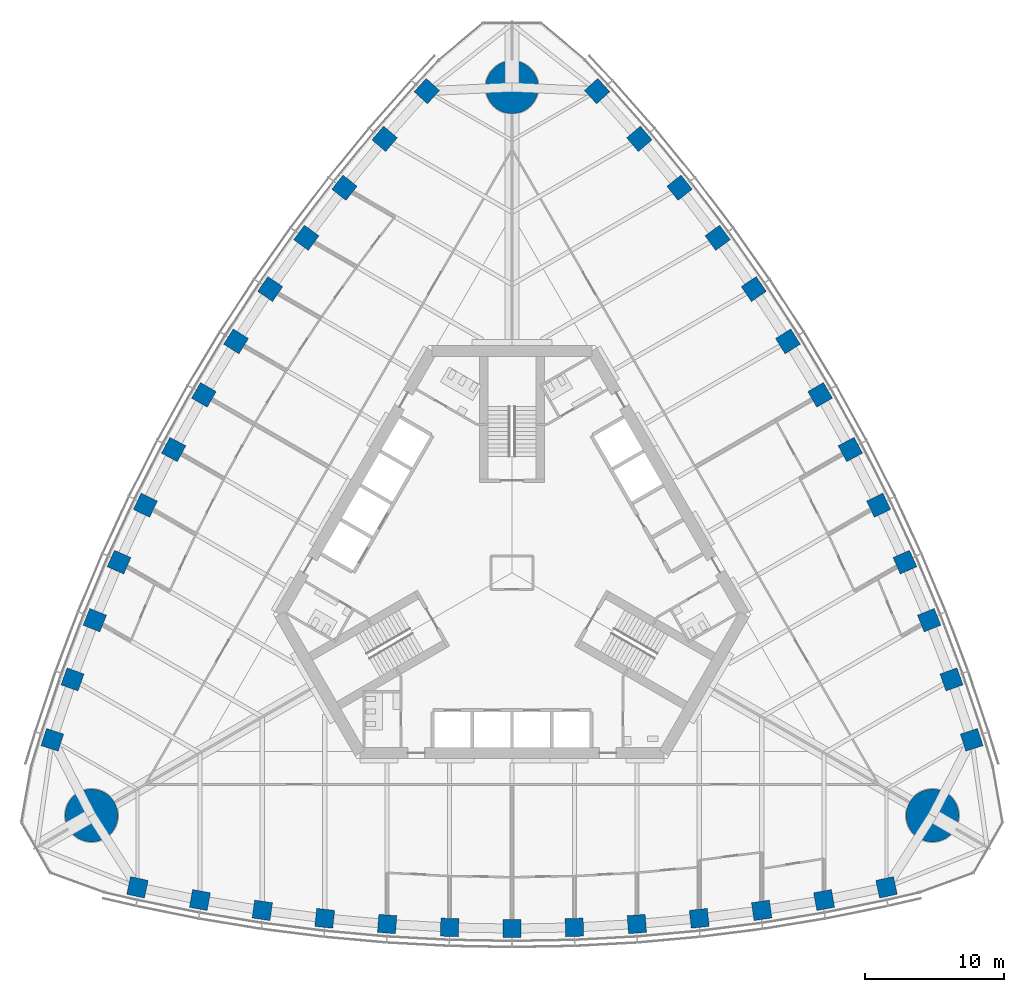
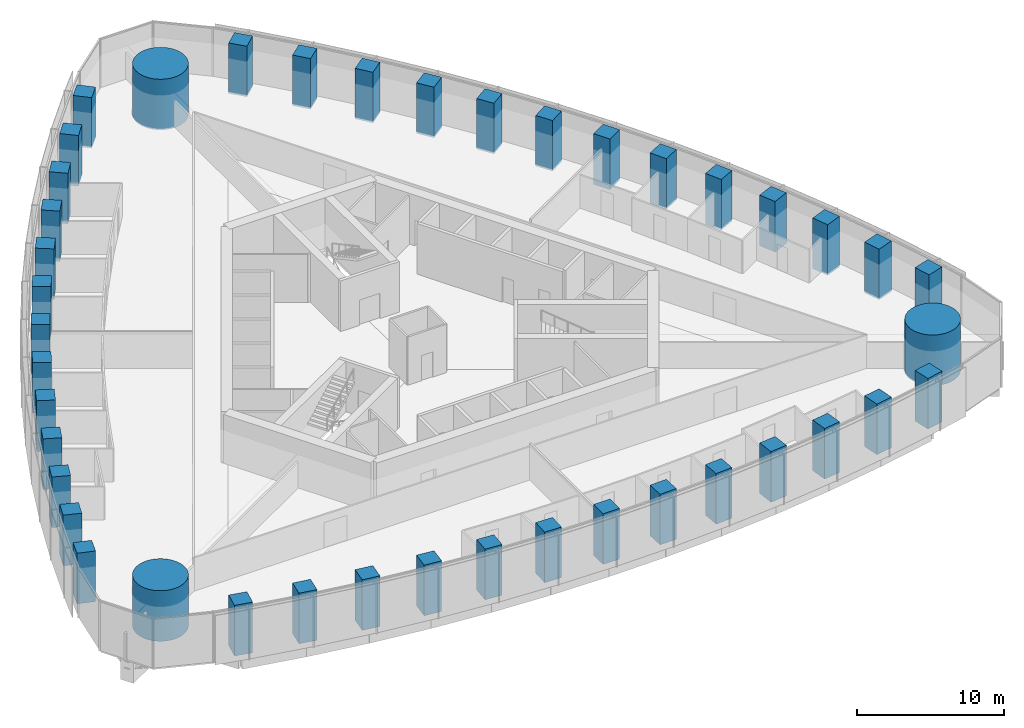
# One storey, part 1 of 19: 42 columns.
"""IFC4 building model written with IfcOpenShell, lengths in metres."""

from ifc_helpers import new_model, si_unit, direction, frame, origin, origin_2d, place, context, subcontext, project, spatial, rectangle, circle, extrude, material, material_profile, profile_set, type_object, element, save


model = new_model("IFC4")

# Units and contexts
model_context = context("Model", 3, precision=1e-05, world=origin(), true_north=direction((0.0, 1.0)))
body_context = subcontext(model_context, "Body", "Model", "MODEL_VIEW")
ifc_project = project(units=[si_unit("LENGTHUNIT", "METRE"), si_unit("AREAUNIT", "SQUARE_METRE"), si_unit("VOLUMEUNIT", "CUBIC_METRE"), si_unit("PLANEANGLEUNIT", "RADIAN"), si_unit("MASSUNIT", "GRAM", prefix="KILO")], contexts=[model_context])

# Site, building, storey
site_placement = place(None, origin())
site = spatial("IfcSite", under=ifc_project, at=site_placement, CompositionType="ELEMENT")
building_placement = place(site_placement, origin())
building = spatial("IfcBuilding", under=site, at=building_placement, Name="Trefoil Bronze Tower", CompositionType="ELEMENT")
storey_placement = place(building_placement, frame((0.0, 0.0, 132.5)))
storey = spatial("IfcBuildingStorey", under=building, at=storey_placement, Name="L30", CompositionType="ELEMENT", Elevation=132.5)

# Columns
ifc_material_1 = material(Name="Concrete B80", Category="concrete")
ifc_material_profile_1 = material_profile(ifc_material_1, circle(Radius=1.89990234375, at=origin_2d()), Name="RC D3800")
ifc_profile_set_1 = profile_set([ifc_material_profile_1], Name="Concrete B80")
column_type_1 = type_object("IfcColumnType", Name="Mega column RC D3800", PredefinedType="COLUMN", material=ifc_profile_set_1)
for number, where, z_axis, x_axis, name in (
    (1, (30.310791015625, -17.5, 0.0), (0.0, 0.0, 1.0), (1.0, 0.0, 0.0), "Mega column K1 L30"),
    (2, (0.0, 35.0, 0.0), (0.0, 0.0, 1.0), (1.0, 0.0, 0.0), "Mega column K2 L30"),
    (3, (-30.310791015625, -17.5, 0.0), (0.0, 0.0, 1.0), (1.0, 0.0, 0.0), "Mega column K3 L30"),
):
    element("IfcColumn", number, at=place(storey_placement, frame(where, z_axis=z_axis, x_axis=x_axis)), inside=storey, type_object=column_type_1, Name=name, PredefinedType="COLUMN", context=body_context, shape_type="SweptSolid", body=[
        extrude(circle(Radius=1.89990234375, at=origin_2d()), origin(), (0.0, 0.0, 1.0), 4.199951171875),
    ])
ifc_material_2 = material(Name="Concrete B80", Category="concrete")
ifc_material_profile_2 = material_profile(ifc_material_2, rectangle(XDim=1.300048828125, YDim=1.300048828125, at=origin_2d()), Name="RC 1300x1300")
ifc_profile_set_2 = profile_set([ifc_material_profile_2], Name="Concrete B80")
column_type_2 = type_object("IfcColumnType", Name="Tube column RC 1300x1300", PredefinedType="COLUMN", material=ifc_profile_set_2)
for number, where, z_axis, x_axis, name in (
    (4, (-27.0, -22.67724609375, 0.0), (0.0, 0.0, 1.0), (0.977276081214, -0.21197042503, 0.0), "Tube column F1/-6 L30"),
    (5, (-22.5, -23.592529296875, 0.0), (0.0, 0.0, 1.0), (0.98362250613, -0.180240853954, 0.0), "Tube column F1/-5 L30"),
    (6, (-18.0, -24.337158203125, 0.0), (0.0, 0.0, 1.0), (0.989549714366, -0.144192103798, 0.0), "Tube column F1/-4 L30"),
    (7, (-13.5, -24.9130859375, 0.0), (0.0, 0.0, 1.0), (0.994135267447, -0.108143747013, 0.0), "Tube column F1/-3 L30"),
    (8, (-9.0, -25.32275390625, 0.0), (0.0, 0.0, 1.0), (0.997397720802, -0.072095676284, 0.0), "Tube column F1/-2 L30"),
    (9, (-4.5, -25.568115234375, 0.0), (0.0, 0.0, 1.0), (0.999350067136, -0.036047792107, 0.0), "Tube column F1/-1 L30"),
    (10, (0.0, -25.649658203125, 0.0), (0.0, 0.0, 1.0), (1.0, 0.0, 0.0), "Tube column F1/+0 L30"),
    (11, (4.5, -25.568115234375, 0.0), (0.0, 0.0, 1.0), (0.999350067136, 0.036047792107, 0.0), "Tube column F1/+1 L30"),
    (12, (9.0, -25.32275390625, 0.0), (0.0, 0.0, 1.0), (0.997397720802, 0.072095676284, 0.0), "Tube column F1/+2 L30"),
    (13, (13.5, -24.9130859375, 0.0), (0.0, 0.0, 1.0), (0.994135267447, 0.108143747013, 0.0), "Tube column F1/+3 L30"),
    (14, (18.0, -24.337158203125, 0.0), (0.0, 0.0, 1.0), (0.989549714366, 0.144192103798, 0.0), "Tube column F1/+4 L30"),
    (15, (22.5, -23.592529296875, 0.0), (0.0, 0.0, 1.0), (0.98362250613, 0.180240853954, 0.0), "Tube column F1/+5 L30"),
    (16, (27.0, -22.67724609375, 0.0), (0.0, 0.0, 1.0), (0.977276081214, 0.21197042503, 0.0), "Tube column F1/+6 L30"),
    (17, (33.13916015625, -12.044189453125, 0.0), (0.0, 0.0, 1.0), (-0.30506626768, 0.952331125357, 0.0), "Tube column F2/-6 L30"),
    (18, (31.681884765625, -7.689208984375, 0.0), (0.0, 0.0, 1.0), (-0.335718094742, 0.94196250502, 0.0), "Tube column F2/-5 L30"),
    (19, (30.07666015625, -3.419921875, 0.0), (0.0, 0.0, 1.0), (-0.369900832269, 0.929071242848, 0.0), "Tube column F2/-4 L30"),
    (20, (28.325439453125, 0.76513671875, 0.0), (0.0, 0.0, 1.0), (-0.40341240155, 0.915018269914, 0.0), "Tube column F2/-3 L30"),
    (21, (26.43017578125, 4.8671875, 0.0), (0.0, 0.0, 1.0), (-0.436262173236, 0.899819602033, 0.0), "Tube column F2/-2 L30"),
    (22, (24.392578125, 8.886962890625, 0.0), (0.0, 0.0, 1.0), (-0.468456729853, 0.883486441467, 0.0), "Tube column F2/-1 L30"),
    (23, (22.21337890625, 12.824951171875, 0.0), (0.0, 0.0, 1.0), (-0.5, 0.866025403784, 0.0), "Tube column F2/+0 L30"),
    (24, (19.892578125, 16.68115234375, 0.0), (0.0, 0.0, 1.0), (-0.530893337283, 0.84743864936, 0.0), "Tube column F2/+1 L30"),
    (25, (17.43017578125, 20.45556640625, 0.0), (0.0, 0.0, 1.0), (-0.561135547566, 0.827723925749, 0.0), "Tube column F2/+2 L30"),
    (26, (14.825439453125, 24.14794921875, 0.0), (0.0, 0.0, 1.0), (-0.590722865897, 0.806874522901, 0.0), "Tube column F2/+3 L30"),
    (27, (12.07666015625, 27.757080078125, 0.0), (0.0, 0.0, 1.0), (-0.619648882098, 0.78487913905, 0.0), "Tube column F2/+4 L30"),
    (28, (9.181884765625, 31.281982421875, 0.0), (0.0, 0.0, 1.0), (-0.647904411389, 0.761721651066, 0.0), "Tube column F2/+5 L30"),
    (29, (6.13916015625, 34.72119140625, 0.0), (0.0, 0.0, 1.0), (-0.672209813534, 0.740360700327, 0.0), "Tube column F2/+6 L30"),
    (30, (-6.13916015625, 34.72119140625, 0.0), (0.0, 0.0, 1.0), (-0.672209813534, -0.740360700327, 0.0), "Tube column F3/-6 L30"),
    (31, (-9.181884765625, 31.281982421875, 0.0), (0.0, 0.0, 1.0), (-0.647904411389, -0.761721651066, 0.0), "Tube column F3/-5 L30"),
    (32, (-12.07666015625, 27.757080078125, 0.0), (0.0, 0.0, 1.0), (-0.619648882098, -0.78487913905, 0.0), "Tube column F3/-4 L30"),
    (33, (-14.825439453125, 24.14794921875, 0.0), (0.0, 0.0, 1.0), (-0.590722865897, -0.806874522901, 0.0), "Tube column F3/-3 L30"),
    (34, (-17.43017578125, 20.45556640625, 0.0), (0.0, 0.0, 1.0), (-0.561135547566, -0.827723925749, 0.0), "Tube column F3/-2 L30"),
    (35, (-19.892578125, 16.68115234375, 0.0), (0.0, 0.0, 1.0), (-0.530893337283, -0.84743864936, 0.0), "Tube column F3/-1 L30"),
    (36, (-22.21337890625, 12.824951171875, 0.0), (0.0, 0.0, 1.0), (-0.5, -0.866025403784, 0.0), "Tube column F3/+0 L30"),
    (37, (-24.392578125, 8.886962890625, 0.0), (0.0, 0.0, 1.0), (-0.468456729853, -0.883486441467, 0.0), "Tube column F3/+1 L30"),
    (38, (-26.43017578125, 4.8671875, 0.0), (0.0, 0.0, 1.0), (-0.436262173236, -0.899819602033, 0.0), "Tube column F3/+2 L30"),
    (39, (-28.325439453125, 0.76513671875, 0.0), (0.0, 0.0, 1.0), (-0.40341240155, -0.915018269914, 0.0), "Tube column F3/+3 L30"),
    (40, (-30.07666015625, -3.419921875, 0.0), (0.0, 0.0, 1.0), (-0.369900832269, -0.929071242848, 0.0), "Tube column F3/+4 L30"),
    (41, (-31.681884765625, -7.689208984375, 0.0), (0.0, 0.0, 1.0), (-0.335718094742, -0.94196250502, 0.0), "Tube column F3/+5 L30"),
    (42, (-33.13916015625, -12.044189453125, 0.0), (0.0, 0.0, 1.0), (-0.30506626768, -0.952331125357, 0.0), "Tube column F3/+6 L30"),
):
    element("IfcColumn", number, at=place(storey_placement, frame(where, z_axis=z_axis, x_axis=x_axis)), inside=storey, type_object=column_type_2, Name=name, PredefinedType="COLUMN", context=body_context, shape_type="SweptSolid", body=[
        extrude(rectangle(XDim=1.300048828125, YDim=1.300048828125, at=origin_2d()), origin(), (0.0, 0.0, 1.0), 4.199951171875),
    ])

save(model, "model.ifc")
